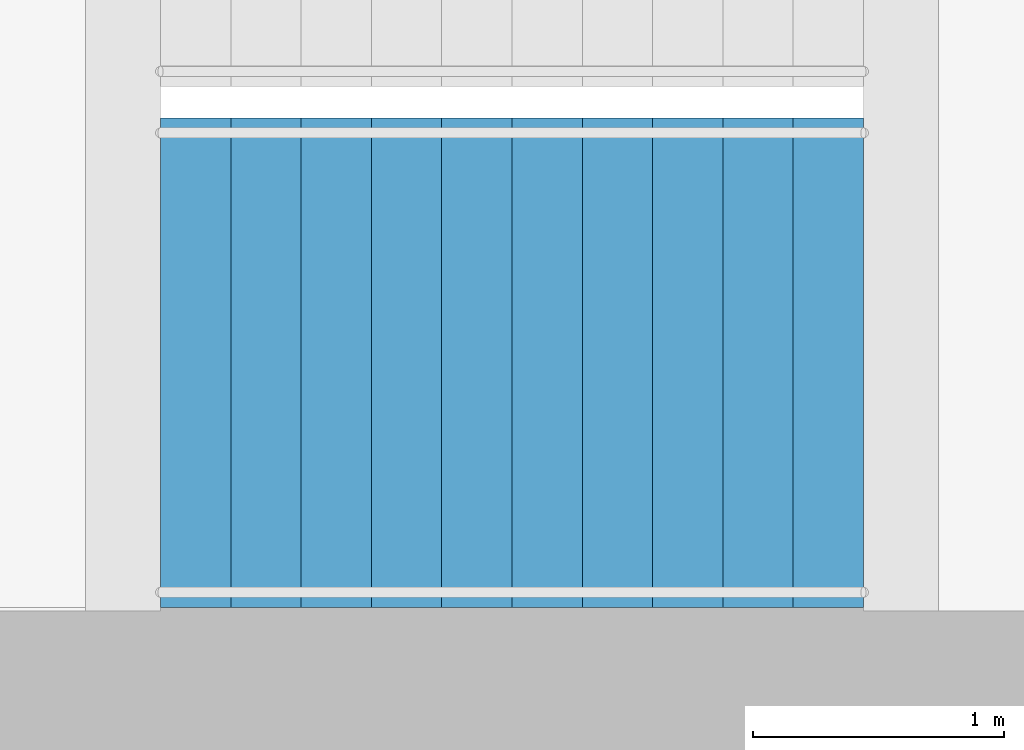
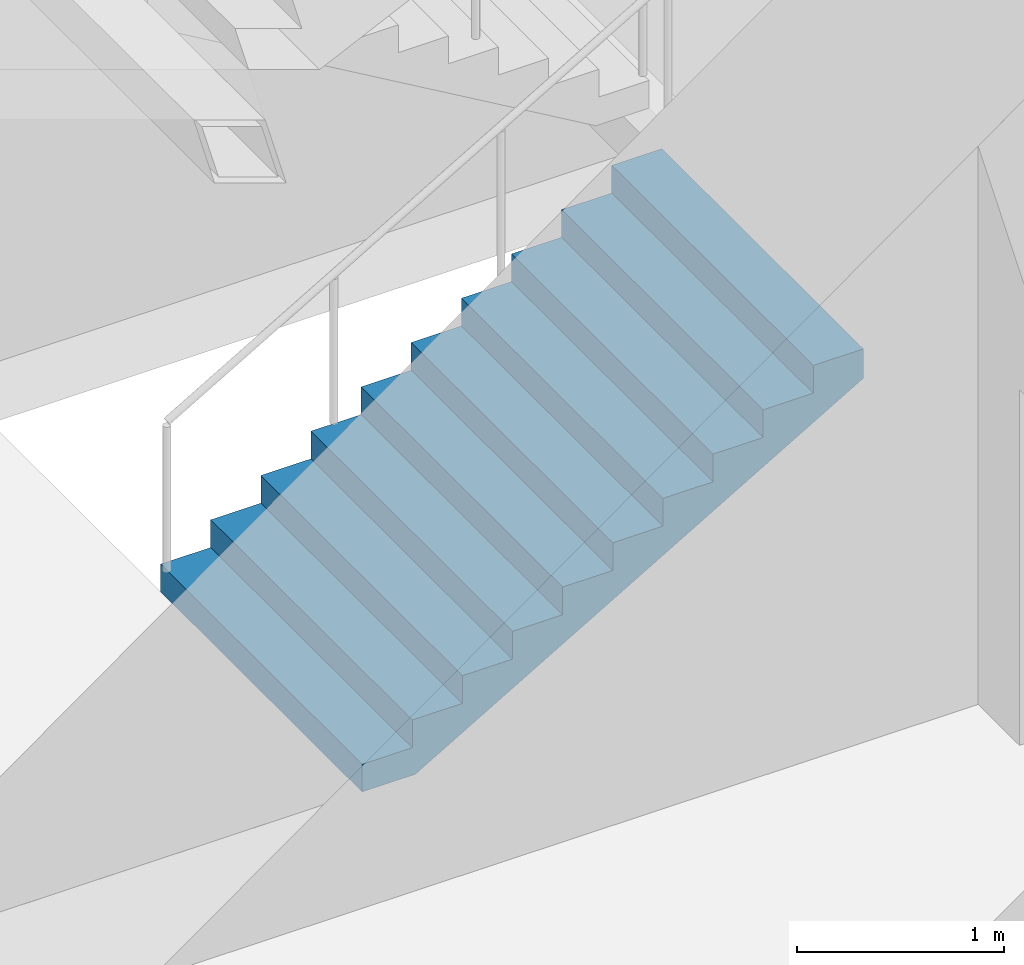
# One storey, part 14 of 22: 1 stair flight, 1 element without a shape of its own.
"""IFC4 building model written with IfcOpenShell, lengths in metres."""

from ifc_helpers import new_model, si_unit, direction, frame, origin, place, context, subcontext, project, spatial, triangles, material, type_object, element, aggregate, save


model = new_model("IFC4")

# Units and contexts
model_context = context("Model", 3, precision=1e-05, world=origin(), true_north=direction((0.0, 1.0)))
body_context = subcontext(model_context, "Body", "Model", "MODEL_VIEW")
ifc_project = project(units=[si_unit("LENGTHUNIT", "METRE"), si_unit("AREAUNIT", "SQUARE_METRE"), si_unit("VOLUMEUNIT", "CUBIC_METRE"), si_unit("PLANEANGLEUNIT", "RADIAN"), si_unit("MASSUNIT", "GRAM", prefix="KILO")], contexts=[model_context])

# Site, building, storey
site_placement = place(None, origin())
site = spatial("IfcSite", under=ifc_project, at=site_placement, CompositionType="ELEMENT")
building_placement = place(site_placement, origin())
building = spatial("IfcBuilding", under=site, at=building_placement, Name="Orbita Commons", CompositionType="ELEMENT")
storey_placement = place(building_placement, frame((0.0, 0.0, 201.10009765625)))
storey = spatial("IfcBuildingStorey", under=building, at=storey_placement, Name="L50", CompositionType="ELEMENT", Elevation=201.10009765625)

# Stair, stair flight
ifc_material_1 = material(Name="Precast concrete C40/50", Category="concrete")
stair_type = type_object("IfcStairType", Name="Exit stair S1 4 flights 11 risers 164", PredefinedType="HALF_TURN_STAIR", material=ifc_material_1)
stair_placement = place(storey_placement, origin())
stair = element("IfcStair", 1, at=stair_placement, inside=storey, type_object=stair_type, Name="Exit stair S1 L50", PredefinedType="HALF_TURN_STAIR")
ifc_material_2 = material(Name="Precast concrete C40/50", Category="concrete")
stair_flight_type = type_object("IfcStairFlightType", Name="Stair flight 11 risers 164 x 280", PredefinedType="STRAIGHT", material=ifc_material_2)
stair_flight_placement = place(storey_placement, frame((20.449951171875, 27.199951171875, 0.0), z_axis=(0.0, 0.0, 1.0), x_axis=(1.0, 0.0, 0.0)))
stair_flight = element("IfcStairFlight", 2, at=stair_flight_placement, type_object=stair_flight_type, Name="S1 flight 1", NumberOfRisers=11, NumberOfTreads=10, PredefinedType="STRAIGHT", RiserHeight=0.163636364, TreadLength=0.28, context=body_context, shape_type="Tessellation", body=[
    triangles([(0.0, 0.974976, 0.0), (0.0, 0.974976, 0.020455), (0.0, 0.81248, 0.020455), (0.0, 0.81248, 0.0), (0.0, 0.649984, 0.020455), (0.0, 0.649984, 0.0), (0.0, 0.487488, 0.020455), (0.0, 0.487488, 0.0), (0.0, 0.324992, 0.020455), (0.0, 0.324992, 0.0), (0.0, 0.162496, 0.020455), (0.0, 0.162496, 0.0), (0.0, 0.0, 0.020455), (0.0, 0.0, 0.0), (0.0, -0.162496, 0.020455), (0.0, -0.162496, 0.0), (0.0, -0.324992, 0.020455), (0.0, -0.324992, 0.0), (0.0, -0.487488, 0.020455), (0.0, -0.487488, 0.0), (0.0, -0.649984, 0.020455), (0.0, -0.649984, 0.0), (0.0, -0.81248, 0.020455), (0.0, -0.81248, 0.0), (0.0, -0.974976, 0.020455), (0.0, -0.974976, 0.0), (0.0, 0.974976, 0.040909), (0.0, 0.81248, 0.040909), (0.0, 0.649984, 0.040909), (0.0, 0.487488, 0.040909), (0.0, 0.324992, 0.040909), (0.0, 0.162496, 0.040909), (0.0, 0.0, 0.040909), (0.0, -0.162496, 0.040909), (0.0, -0.324992, 0.040909), (0.0, -0.487488, 0.040909), (0.0, -0.649984, 0.040909), (0.0, -0.81248, 0.040909), (0.0, -0.974976, 0.040909), (0.0, 0.974976, 0.061364), (0.0, 0.81248, 0.061364), (0.0, 0.649984, 0.061364), (0.0, 0.487488, 0.061364), (0.0, 0.324992, 0.061364), (0.0, 0.162496, 0.061364), (0.0, 0.0, 0.061364), (0.0, -0.162496, 0.061364), (0.0, -0.324992, 0.061364), (0.0, -0.487488, 0.061364), (0.0, -0.649984, 0.061364), (0.0, -0.81248, 0.061364), (0.0, -0.974976, 0.061364), (0.0, 0.974976, 0.081818), (0.0, 0.81248, 0.081818), (0.0, 0.649984, 0.081818), (0.0, 0.487488, 0.081818), (0.0, 0.324992, 0.081818), (0.0, 0.162496, 0.081818), (0.0, 0.0, 0.081818), (0.0, -0.162496, 0.081818), (0.0, -0.324992, 0.081818), (0.0, -0.487488, 0.081818), (0.0, -0.649984, 0.081818), (0.0, -0.81248, 0.081818), (0.0, -0.974976, 0.081818), (0.0, 0.974976, 0.102273), (0.0, 0.81248, 0.102273), (0.0, 0.649984, 0.102273), (0.0, 0.487488, 0.102273), (0.0, 0.324992, 0.102273), (0.0, 0.162496, 0.102273), (0.0, 0.0, 0.102273), (0.0, -0.162496, 0.102273), (0.0, -0.324992, 0.102273), (0.0, -0.487488, 0.102273), (0.0, -0.649984, 0.102273), (0.0, -0.81248, 0.102273), (0.0, -0.974976, 0.102273), (0.0, 0.974976, 0.122727), (0.0, 0.81248, 0.122727), (0.0, 0.649984, 0.122727), (0.0, 0.487488, 0.122727), (0.0, 0.324992, 0.122727), (0.0, 0.162496, 0.122727), (0.0, 0.0, 0.122727), (0.0, -0.162496, 0.122727), (0.0, -0.324992, 0.122727), (0.0, -0.487488, 0.122727), (0.0, -0.649984, 0.122727), (0.0, -0.81248, 0.122727), (0.0, -0.974976, 0.122727), (0.0, 0.974976, 0.143182), (0.0, 0.81248, 0.143182), (0.0, 0.649984, 0.143182), (0.0, 0.487488, 0.143182), (0.0, 0.324992, 0.143182), (0.0, 0.162496, 0.143182), (0.0, 0.0, 0.143182), (0.0, -0.162496, 0.143182), (0.0, -0.324992, 0.143182), (0.0, -0.487488, 0.143182), (0.0, -0.649984, 0.143182), (0.0, -0.81248, 0.143182), (0.0, -0.974976, 0.143182), (0.0, 0.974976, 0.163636), (0.0, 0.81248, 0.163636), (0.0, 0.649984, 0.163636), (0.0, 0.487488, 0.163636), (0.0, 0.324992, 0.163636), (0.0, 0.162496, 0.163636), (0.0, 0.0, 0.163636), (0.0, -0.162496, 0.163636), (0.0, -0.324992, 0.163636), (0.0, -0.487488, 0.163636), (0.0, -0.649984, 0.163636), (0.0, -0.81248, 0.163636), (0.0, -0.974976, 0.163636), (0.28, 0.974976, 0.163636), (0.28, 0.81248, 0.163636), (0.28, 0.649984, 0.163636), (0.28, 0.487488, 0.163636), (0.28, 0.324992, 0.163636), (0.28, 0.162496, 0.163636), (0.28, 0.0, 0.163636), (0.28, -0.162496, 0.163636), (0.28, -0.324992, 0.163636), (0.28, -0.487488, 0.163636), (0.28, -0.649984, 0.163636), (0.28, -0.81248, 0.163636), (0.28, -0.974976, 0.163636), (0.28, 0.974976, 0.327273), (0.28, 0.81248, 0.327273), (0.28, 0.649984, 0.327273), (0.28, 0.487488, 0.327273), (0.28, 0.324992, 0.327273), (0.28, 0.162496, 0.327273), (0.28, 0.0, 0.327273), (0.28, -0.162496, 0.327273), (0.28, -0.324992, 0.327273), (0.28, -0.487488, 0.327273), (0.28, -0.649984, 0.327273), (0.28, -0.81248, 0.327273), (0.28, -0.974976, 0.327273), (0.56, 0.974976, 0.327273), (0.56, 0.81248, 0.327273), (0.56, 0.649984, 0.327273), (0.56, 0.487488, 0.327273), (0.56, 0.324992, 0.327273), (0.56, 0.162496, 0.327273), (0.56, 0.0, 0.327273), (0.56, -0.162496, 0.327273), (0.56, -0.324992, 0.327273), (0.56, -0.487488, 0.327273), (0.56, -0.649984, 0.327273), (0.56, -0.81248, 0.327273), (0.56, -0.974976, 0.327273), (0.56, 0.974976, 0.490909), (0.56, 0.81248, 0.490909), (0.56, 0.649984, 0.490909), (0.56, 0.487488, 0.490909), (0.56, 0.324992, 0.490909), (0.56, 0.162496, 0.490909), (0.56, 0.0, 0.490909), (0.56, -0.162496, 0.490909), (0.56, -0.324992, 0.490909), (0.56, -0.487488, 0.490909), (0.56, -0.649984, 0.490909), (0.56, -0.81248, 0.490909), (0.56, -0.974976, 0.490909), (0.84, 0.974976, 0.490909), (0.84, 0.81248, 0.490909), (0.84, 0.649984, 0.490909), (0.84, 0.487488, 0.490909), (0.84, 0.324992, 0.490909), (0.84, 0.162496, 0.490909), (0.84, 0.0, 0.490909), (0.84, -0.162496, 0.490909), (0.84, -0.324992, 0.490909), (0.84, -0.487488, 0.490909), (0.84, -0.649984, 0.490909), (0.84, -0.81248, 0.490909), (0.84, -0.974976, 0.490909), (0.84, 0.974976, 0.654545), (0.84, 0.81248, 0.654545), (0.84, 0.649984, 0.654545), (0.84, 0.487488, 0.654545), (0.84, 0.324992, 0.654545), (0.84, 0.162496, 0.654545), (0.84, 0.0, 0.654545), (0.84, -0.162496, 0.654545), (0.84, -0.324992, 0.654545), (0.84, -0.487488, 0.654545), (0.84, -0.649984, 0.654545), (0.84, -0.81248, 0.654545), (0.84, -0.974976, 0.654545), (1.12, 0.974976, 0.654545), (1.12, 0.81248, 0.654545), (1.12, 0.649984, 0.654545), (1.12, 0.487488, 0.654545), (1.12, 0.324992, 0.654545), (1.12, 0.162496, 0.654545), (1.12, 0.0, 0.654545), (1.12, -0.162496, 0.654545), (1.12, -0.324992, 0.654545), (1.12, -0.487488, 0.654545), (1.12, -0.649984, 0.654545), (1.12, -0.81248, 0.654545), (1.12, -0.974976, 0.654545), (1.12, 0.974976, 0.818182), (1.12, 0.81248, 0.818182), (1.12, 0.649984, 0.818182), (1.12, 0.487488, 0.818182), (1.12, 0.324992, 0.818182), (1.12, 0.162496, 0.818182), (1.12, 0.0, 0.818182), (1.12, -0.162496, 0.818182), (1.12, -0.324992, 0.818182), (1.12, -0.487488, 0.818182), (1.12, -0.649984, 0.818182), (1.12, -0.81248, 0.818182), (1.12, -0.974976, 0.818182), (1.4, 0.974976, 0.818182), (1.4, 0.81248, 0.818182), (1.4, 0.649984, 0.818182), (1.4, 0.487488, 0.818182), (1.4, 0.324992, 0.818182), (1.4, 0.162496, 0.818182), (1.4, 0.0, 0.818182), (1.4, -0.162496, 0.818182), (1.4, -0.324992, 0.818182), (1.4, -0.487488, 0.818182), (1.4, -0.649984, 0.818182), (1.4, -0.81248, 0.818182), (1.4, -0.974976, 0.818182), (1.4, 0.974976, 0.981818), (1.4, 0.81248, 0.981818), (1.4, 0.649984, 0.981818), (1.4, 0.487488, 0.981818), (1.4, 0.324992, 0.981818), (1.4, 0.162496, 0.981818), (1.4, 0.0, 0.981818), (1.4, -0.162496, 0.981818), (1.4, -0.324992, 0.981818), (1.4, -0.487488, 0.981818), (1.4, -0.649984, 0.981818), (1.4, -0.81248, 0.981818), (1.4, -0.974976, 0.981818), (1.68, 0.974976, 0.981818), (1.68, 0.81248, 0.981818), (1.68, 0.649984, 0.981818), (1.68, 0.487488, 0.981818), (1.68, 0.324992, 0.981818), (1.68, 0.162496, 0.981818), (1.68, 0.0, 0.981818), (1.68, -0.162496, 0.981818), (1.68, -0.324992, 0.981818), (1.68, -0.487488, 0.981818), (1.68, -0.649984, 0.981818), (1.68, -0.81248, 0.981818), (1.68, -0.974976, 0.981818), (1.68, 0.974976, 1.145455), (1.68, 0.81248, 1.145455), (1.68, 0.649984, 1.145455), (1.68, 0.487488, 1.145455), (1.68, 0.324992, 1.145455), (1.68, 0.162496, 1.145455), (1.68, 0.0, 1.145455), (1.68, -0.162496, 1.145455), (1.68, -0.324992, 1.145455), (1.68, -0.487488, 1.145455), (1.68, -0.649984, 1.145455), (1.68, -0.81248, 1.145455), (1.68, -0.974976, 1.145455), (1.96, 0.974976, 1.145455), (1.96, 0.81248, 1.145455), (1.96, 0.649984, 1.145455), (1.96, 0.487488, 1.145455), (1.96, 0.324992, 1.145455), (1.96, 0.162496, 1.145455), (1.96, 0.0, 1.145455), (1.96, -0.162496, 1.145455), (1.96, -0.324992, 1.145455), (1.96, -0.487488, 1.145455), (1.96, -0.649984, 1.145455), (1.96, -0.81248, 1.145455), (1.96, -0.974976, 1.145455), (1.96, 0.974976, 1.309091), (1.96, 0.81248, 1.309091), (1.96, 0.649984, 1.309091), (1.96, 0.487488, 1.309091), (1.96, 0.324992, 1.309091), (1.96, 0.162496, 1.309091), (1.96, 0.0, 1.309091), (1.96, -0.162496, 1.309091), (1.96, -0.324992, 1.309091), (1.96, -0.487488, 1.309091), (1.96, -0.649984, 1.309091), (1.96, -0.81248, 1.309091), (1.96, -0.974976, 1.309091), (2.24, 0.974976, 1.309091), (2.24, 0.81248, 1.309091), (2.24, 0.649984, 1.309091), (2.24, 0.487488, 1.309091), (2.24, 0.324992, 1.309091), (2.24, 0.162496, 1.309091), (2.24, 0.0, 1.309091), (2.24, -0.162496, 1.309091), (2.24, -0.324992, 1.309091), (2.24, -0.487488, 1.309091), (2.24, -0.649984, 1.309091), (2.24, -0.81248, 1.309091), (2.24, -0.974976, 1.309091), (2.24, 0.974976, 1.472727), (2.24, 0.81248, 1.472727), (2.24, 0.649984, 1.472727), (2.24, 0.487488, 1.472727), (2.24, 0.324992, 1.472727), (2.24, 0.162496, 1.472727), (2.24, 0.0, 1.472727), (2.24, -0.162496, 1.472727), (2.24, -0.324992, 1.472727), (2.24, -0.487488, 1.472727), (2.24, -0.649984, 1.472727), (2.24, -0.81248, 1.472727), (2.24, -0.974976, 1.472727), (2.52, 0.974976, 1.472727), (2.52, 0.81248, 1.472727), (2.52, 0.649984, 1.472727), (2.52, 0.487488, 1.472727), (2.52, 0.324992, 1.472727), (2.52, 0.162496, 1.472727), (2.52, 0.0, 1.472727), (2.52, -0.162496, 1.472727), (2.52, -0.324992, 1.472727), (2.52, -0.487488, 1.472727), (2.52, -0.649984, 1.472727), (2.52, -0.81248, 1.472727), (2.52, -0.974976, 1.472727), (2.52, 0.974976, 1.636364), (2.52, 0.81248, 1.636364), (2.52, 0.649984, 1.636364), (2.52, 0.487488, 1.636364), (2.52, 0.324992, 1.636364), (2.52, 0.162496, 1.636364), (2.52, 0.0, 1.636364), (2.52, -0.162496, 1.636364), (2.52, -0.324992, 1.636364), (2.52, -0.487488, 1.636364), (2.52, -0.649984, 1.636364), (2.52, -0.81248, 1.636364), (2.52, -0.974976, 1.636364), (2.8, 0.974976, 1.636364), (2.8, 0.81248, 1.636364), (2.8, 0.649984, 1.636364), (2.8, 0.487488, 1.636364), (2.8, 0.324992, 1.636364), (2.8, 0.162496, 1.636364), (2.8, 0.0, 1.636364), (2.8, -0.162496, 1.636364), (2.8, -0.324992, 1.636364), (2.8, -0.487488, 1.636364), (2.8, -0.649984, 1.636364), (2.8, -0.81248, 1.636364), (2.8, -0.974976, 1.636364), (2.8, 0.974976, 1.614661), (2.8, 0.81248, 1.614661), (2.8, 0.649984, 1.614661), (2.8, 0.487488, 1.614661), (2.8, 0.324992, 1.614661), (2.8, 0.162496, 1.614661), (2.8, 0.0, 1.614661), (2.8, -0.162496, 1.614661), (2.8, -0.324992, 1.614661), (2.8, -0.487488, 1.614661), (2.8, -0.649984, 1.614661), (2.8, -0.81248, 1.614661), (2.8, -0.974976, 1.614661), (2.8, 0.974976, 1.592958), (2.8, 0.81248, 1.592958), (2.8, 0.649984, 1.592958), (2.8, 0.487488, 1.592958), (2.8, 0.324992, 1.592958), (2.8, 0.162496, 1.592958), (2.8, 0.0, 1.592958), (2.8, -0.162496, 1.592958), (2.8, -0.324992, 1.592958), (2.8, -0.487488, 1.592958), (2.8, -0.649984, 1.592958), (2.8, -0.81248, 1.592958), (2.8, -0.974976, 1.592958), (2.8, 0.974976, 1.571255), (2.8, 0.81248, 1.571255), (2.8, 0.649984, 1.571255), (2.8, 0.487488, 1.571255), (2.8, 0.324992, 1.571255), (2.8, 0.162496, 1.571255), (2.8, 0.0, 1.571255), (2.8, -0.162496, 1.571255), (2.8, -0.324992, 1.571255), (2.8, -0.487488, 1.571255), (2.8, -0.649984, 1.571255), (2.8, -0.81248, 1.571255), (2.8, -0.974976, 1.571255), (2.8, 0.974976, 1.549551), (2.8, 0.81248, 1.549551), (2.8, 0.649984, 1.549551), (2.8, 0.487488, 1.549551), (2.8, 0.324992, 1.549551), (2.8, 0.162496, 1.549551), (2.8, 0.0, 1.549551), (2.8, -0.162496, 1.549551), (2.8, -0.324992, 1.549551), (2.8, -0.487488, 1.549551), (2.8, -0.649984, 1.549551), (2.8, -0.81248, 1.549551), (2.8, -0.974976, 1.549551), (2.8, 0.974976, 1.527848), (2.8, 0.81248, 1.527848), (2.8, 0.649984, 1.527848), (2.8, 0.487488, 1.527848), (2.8, 0.324992, 1.527848), (2.8, 0.162496, 1.527848), (2.8, 0.0, 1.527848), (2.8, -0.162496, 1.527848), (2.8, -0.324992, 1.527848), (2.8, -0.487488, 1.527848), (2.8, -0.649984, 1.527848), (2.8, -0.81248, 1.527848), (2.8, -0.974976, 1.527848), (2.8, 0.974976, 1.506145), (2.8, 0.81248, 1.506145), (2.8, 0.649984, 1.506145), (2.8, 0.487488, 1.506145), (2.8, 0.324992, 1.506145), (2.8, 0.162496, 1.506145), (2.8, 0.0, 1.506145), (2.8, -0.162496, 1.506145), (2.8, -0.324992, 1.506145), (2.8, -0.487488, 1.506145), (2.8, -0.649984, 1.506145), (2.8, -0.81248, 1.506145), (2.8, -0.974976, 1.506145), (2.8, 0.974976, 1.484442), (2.8, 0.81248, 1.484442), (2.8, 0.649984, 1.484442), (2.8, 0.487488, 1.484442), (2.8, 0.324992, 1.484442), (2.8, 0.162496, 1.484442), (2.8, 0.0, 1.484442), (2.8, -0.162496, 1.484442), (2.8, -0.324992, 1.484442), (2.8, -0.487488, 1.484442), (2.8, -0.649984, 1.484442), (2.8, -0.81248, 1.484442), (2.8, -0.974976, 1.484442), (2.8, 0.974976, 1.462739), (2.8, 0.81248, 1.462739), (2.8, 0.649984, 1.462739), (2.8, 0.487488, 1.462739), (2.8, 0.324992, 1.462739), (2.8, 0.162496, 1.462739), (2.8, 0.0, 1.462739), (2.8, -0.162496, 1.462739), (2.8, -0.324992, 1.462739), (2.8, -0.487488, 1.462739), (2.8, -0.649984, 1.462739), (2.8, -0.81248, 1.462739), (2.8, -0.974976, 1.462739), (0.29709, 0.974976, 0.0), (0.29709, 0.81248, 0.0), (0.29709, 0.649984, 0.0), (0.29709, 0.487488, 0.0), (0.29709, 0.324992, 0.0), (0.29709, 0.162496, 0.0), (0.29709, 0.0, 0.0), (0.29709, -0.162496, 0.0), (0.29709, -0.324992, 0.0), (0.29709, -0.487488, 0.0), (0.29709, -0.649984, 0.0), (0.29709, -0.81248, 0.0), (0.29709, -0.974976, 0.0)], [[3, 2, 1], [4, 3, 1], [5, 3, 4], [6, 5, 4], [7, 5, 6], [8, 7, 6], [9, 7, 8], [10, 9, 8], [11, 9, 10], [12, 11, 10], [13, 11, 12], [14, 13, 12], [15, 13, 14], [16, 15, 14], [17, 15, 16], [18, 17, 16], [19, 17, 18], [20, 19, 18], [21, 19, 20], [22, 21, 20], [23, 21, 22], [24, 23, 22], [25, 23, 24], [26, 25, 24], [28, 27, 2], [3, 28, 2], [29, 28, 3], [5, 29, 3], [30, 29, 5], [7, 30, 5], [31, 30, 7], [9, 31, 7], [32, 31, 9], [11, 32, 9], [33, 32, 11], [13, 33, 11], [34, 33, 13], [15, 34, 13], [35, 34, 15], [17, 35, 15], [36, 35, 17], [19, 36, 17], [37, 36, 19], [21, 37, 19], [38, 37, 21], [23, 38, 21], [39, 38, 23], [25, 39, 23], [41, 40, 27], [28, 41, 27], [42, 41, 28], [29, 42, 28], [43, 42, 29], [30, 43, 29], [44, 43, 30], [31, 44, 30], [45, 44, 31], [32, 45, 31], [46, 45, 32], [33, 46, 32], [47, 46, 33], [34, 47, 33], [48, 47, 34], [35, 48, 34], [49, 48, 35], [36, 49, 35], [50, 49, 36], [37, 50, 36], [51, 50, 37], [38, 51, 37], [52, 51, 38], [39, 52, 38], [54, 53, 40], [41, 54, 40], [55, 54, 41], [42, 55, 41], [56, 55, 42], [43, 56, 42], [57, 56, 43], [44, 57, 43], [58, 57, 44], [45, 58, 44], [59, 58, 45], [46, 59, 45], [60, 59, 46], [47, 60, 46], [61, 60, 47], [48, 61, 47], [62, 61, 48], [49, 62, 48], [63, 62, 49], [50, 63, 49], [64, 63, 50], [51, 64, 50], [65, 64, 51], [52, 65, 51], [67, 66, 53], [54, 67, 53], [68, 67, 54], [55, 68, 54], [69, 68, 55], [56, 69, 55], [70, 69, 56], [57, 70, 56], [71, 70, 57], [58, 71, 57], [72, 71, 58], [59, 72, 58], [73, 72, 59], [60, 73, 59], [74, 73, 60], [61, 74, 60], [75, 74, 61], [62, 75, 61], [76, 75, 62], [63, 76, 62], [77, 76, 63], [64, 77, 63], [78, 77, 64], [65, 78, 64], [80, 79, 66], [67, 80, 66], [81, 80, 67], [68, 81, 67], [82, 81, 68], [69, 82, 68], [83, 82, 69], [70, 83, 69], [84, 83, 70], [71, 84, 70], [85, 84, 71], [72, 85, 71], [86, 85, 72], [73, 86, 72], [87, 86, 73], [74, 87, 73], [88, 87, 74], [75, 88, 74], [89, 88, 75], [76, 89, 75], [90, 89, 76], [77, 90, 76], [91, 90, 77], [78, 91, 77], [93, 92, 79], [80, 93, 79], [94, 93, 80], [81, 94, 80], [95, 94, 81], [82, 95, 81], [96, 95, 82], [83, 96, 82], [97, 96, 83], [84, 97, 83], [98, 97, 84], [85, 98, 84], [99, 98, 85], [86, 99, 85], [100, 99, 86], [87, 100, 86], [101, 100, 87], [88, 101, 87], [102, 101, 88], [89, 102, 88], [103, 102, 89], [90, 103, 89], [104, 103, 90], [91, 104, 90], [106, 105, 92], [93, 106, 92], [107, 106, 93], [94, 107, 93], [108, 107, 94], [95, 108, 94], [109, 108, 95], [96, 109, 95], [110, 109, 96], [97, 110, 96], [111, 110, 97], [98, 111, 97], [112, 111, 98], [99, 112, 98], [113, 112, 99], [100, 113, 99], [114, 113, 100], [101, 114, 100], [115, 114, 101], [102, 115, 101], [116, 115, 102], [103, 116, 102], [117, 116, 103], [104, 117, 103], [119, 118, 105], [106, 119, 105], [120, 119, 106], [107, 120, 106], [121, 120, 107], [108, 121, 107], [122, 121, 108], [109, 122, 108], [123, 122, 109], [110, 123, 109], [124, 123, 110], [111, 124, 110], [125, 124, 111], [112, 125, 111], [126, 125, 112], [113, 126, 112], [127, 126, 113], [114, 127, 113], [128, 127, 114], [115, 128, 114], [129, 128, 115], [116, 129, 115], [130, 129, 116], [117, 130, 116], [132, 131, 118], [119, 132, 118], [133, 132, 119], [120, 133, 119], [134, 133, 120], [121, 134, 120], [135, 134, 121], [122, 135, 121], [136, 135, 122], [123, 136, 122], [137, 136, 123], [124, 137, 123], [138, 137, 124], [125, 138, 124], [139, 138, 125], [126, 139, 125], [140, 139, 126], [127, 140, 126], [141, 140, 127], [128, 141, 127], [142, 141, 128], [129, 142, 128], [143, 142, 129], [130, 143, 129], [145, 144, 131], [132, 145, 131], [146, 145, 132], [133, 146, 132], [147, 146, 133], [134, 147, 133], [148, 147, 134], [135, 148, 134], [149, 148, 135], [136, 149, 135], [150, 149, 136], [137, 150, 136], [151, 150, 137], [138, 151, 137], [152, 151, 138], [139, 152, 138], [153, 152, 139], [140, 153, 139], [154, 153, 140], [141, 154, 140], [155, 154, 141], [142, 155, 141], [156, 155, 142], [143, 156, 142], [158, 157, 144], [145, 158, 144], [159, 158, 145], [146, 159, 145], [160, 159, 146], [147, 160, 146], [161, 160, 147], [148, 161, 147], [162, 161, 148], [149, 162, 148], [163, 162, 149], [150, 163, 149], [164, 163, 150], [151, 164, 150], [165, 164, 151], [152, 165, 151], [166, 165, 152], [153, 166, 152], [167, 166, 153], [154, 167, 153], [168, 167, 154], [155, 168, 154], [169, 168, 155], [156, 169, 155], [171, 170, 157], [158, 171, 157], [172, 171, 158], [159, 172, 158], [173, 172, 159], [160, 173, 159], [174, 173, 160], [161, 174, 160], [175, 174, 161], [162, 175, 161], [176, 175, 162], [163, 176, 162], [177, 176, 163], [164, 177, 163], [178, 177, 164], [165, 178, 164], [179, 178, 165], [166, 179, 165], [180, 179, 166], [167, 180, 166], [181, 180, 167], [168, 181, 167], [182, 181, 168], [169, 182, 168], [184, 183, 170], [171, 184, 170], [185, 184, 171], [172, 185, 171], [186, 185, 172], [173, 186, 172], [187, 186, 173], [174, 187, 173], [188, 187, 174], [175, 188, 174], [189, 188, 175], [176, 189, 175], [190, 189, 176], [177, 190, 176], [191, 190, 177], [178, 191, 177], [192, 191, 178], [179, 192, 178], [193, 192, 179], [180, 193, 179], [194, 193, 180], [181, 194, 180], [195, 194, 181], [182, 195, 181], [197, 196, 183], [184, 197, 183], [198, 197, 184], [185, 198, 184], [199, 198, 185], [186, 199, 185], [200, 199, 186], [187, 200, 186], [201, 200, 187], [188, 201, 187], [202, 201, 188], [189, 202, 188], [203, 202, 189], [190, 203, 189], [204, 203, 190], [191, 204, 190], [205, 204, 191], [192, 205, 191], [206, 205, 192], [193, 206, 192], [207, 206, 193], [194, 207, 193], [208, 207, 194], [195, 208, 194], [210, 209, 196], [197, 210, 196], [211, 210, 197], [198, 211, 197], [212, 211, 198], [199, 212, 198], [213, 212, 199], [200, 213, 199], [214, 213, 200], [201, 214, 200], [215, 214, 201], [202, 215, 201], [216, 215, 202], [203, 216, 202], [217, 216, 203], [204, 217, 203], [218, 217, 204], [205, 218, 204], [219, 218, 205], [206, 219, 205], [220, 219, 206], [207, 220, 206], [221, 220, 207], [208, 221, 207], [223, 222, 209], [210, 223, 209], [224, 223, 210], [211, 224, 210], [225, 224, 211], [212, 225, 211], [226, 225, 212], [213, 226, 212], [227, 226, 213], [214, 227, 213], [228, 227, 214], [215, 228, 214], [229, 228, 215], [216, 229, 215], [230, 229, 216], [217, 230, 216], [231, 230, 217], [218, 231, 217], [232, 231, 218], [219, 232, 218], [233, 232, 219], [220, 233, 219], [234, 233, 220], [221, 234, 220], [236, 235, 222], [223, 236, 222], [237, 236, 223], [224, 237, 223], [238, 237, 224], [225, 238, 224], [239, 238, 225], [226, 239, 225], [240, 239, 226], [227, 240, 226], [241, 240, 227], [228, 241, 227], [242, 241, 228], [229, 242, 228], [243, 242, 229], [230, 243, 229], [244, 243, 230], [231, 244, 230], [245, 244, 231], [232, 245, 231], [246, 245, 232], [233, 246, 232], [247, 246, 233], [234, 247, 233], [249, 248, 235], [236, 249, 235], [250, 249, 236], [237, 250, 236], [251, 250, 237], [238, 251, 237], [252, 251, 238], [239, 252, 238], [253, 252, 239], [240, 253, 239], [254, 253, 240], [241, 254, 240], [255, 254, 241], [242, 255, 241], [256, 255, 242], [243, 256, 242], [257, 256, 243], [244, 257, 243], [258, 257, 244], [245, 258, 244], [259, 258, 245], [246, 259, 245], [260, 259, 246], [247, 260, 246], [262, 261, 248], [249, 262, 248], [263, 262, 249], [250, 263, 249], [264, 263, 250], [251, 264, 250], [265, 264, 251], [252, 265, 251], [266, 265, 252], [253, 266, 252], [267, 266, 253], [254, 267, 253], [268, 267, 254], [255, 268, 254], [269, 268, 255], [256, 269, 255], [270, 269, 256], [257, 270, 256], [271, 270, 257], [258, 271, 257], [272, 271, 258], [259, 272, 258], [273, 272, 259], [260, 273, 259], [275, 274, 261], [262, 275, 261], [276, 275, 262], [263, 276, 262], [277, 276, 263], [264, 277, 263], [278, 277, 264], [265, 278, 264], [279, 278, 265], [266, 279, 265], [280, 279, 266], [267, 280, 266], [281, 280, 267], [268, 281, 267], [282, 281, 268], [269, 282, 268], [283, 282, 269], [270, 283, 269], [284, 283, 270], [271, 284, 270], [285, 284, 271], [272, 285, 271], [286, 285, 272], [273, 286, 272], [288, 287, 274], [275, 288, 274], [289, 288, 275], [276, 289, 275], [290, 289, 276], [277, 290, 276], [291, 290, 277], [278, 291, 277], [292, 291, 278], [279, 292, 278], [293, 292, 279], [280, 293, 279], [294, 293, 280], [281, 294, 280], [295, 294, 281], [282, 295, 281], [296, 295, 282], [283, 296, 282], [297, 296, 283], [284, 297, 283], [298, 297, 284], [285, 298, 284], [299, 298, 285], [286, 299, 285], [301, 300, 287], [288, 301, 287], [302, 301, 288], [289, 302, 288], [303, 302, 289], [290, 303, 289], [304, 303, 290], [291, 304, 290], [305, 304, 291], [292, 305, 291], [306, 305, 292], [293, 306, 292], [307, 306, 293], [294, 307, 293], [308, 307, 294], [295, 308, 294], [309, 308, 295], [296, 309, 295], [310, 309, 296], [297, 310, 296], [311, 310, 297], [298, 311, 297], [312, 311, 298], [299, 312, 298], [314, 313, 300], [301, 314, 300], [315, 314, 301], [302, 315, 301], [316, 315, 302], [303, 316, 302], [317, 316, 303], [304, 317, 303], [318, 317, 304], [305, 318, 304], [319, 318, 305], [306, 319, 305], [320, 319, 306], [307, 320, 306], [321, 320, 307], [308, 321, 307], [322, 321, 308], [309, 322, 308], [323, 322, 309], [310, 323, 309], [324, 323, 310], [311, 324, 310], [325, 324, 311], [312, 325, 311], [327, 326, 313], [314, 327, 313], [328, 327, 314], [315, 328, 314], [329, 328, 315], [316, 329, 315], [330, 329, 316], [317, 330, 316], [331, 330, 317], [318, 331, 317], [332, 331, 318], [319, 332, 318], [333, 332, 319], [320, 333, 319], [334, 333, 320], [321, 334, 320], [335, 334, 321], [322, 335, 321], [336, 335, 322], [323, 336, 322], [337, 336, 323], [324, 337, 323], [338, 337, 324], [325, 338, 324], [340, 339, 326], [327, 340, 326], [341, 340, 327], [328, 341, 327], [342, 341, 328], [329, 342, 328], [343, 342, 329], [330, 343, 329], [344, 343, 330], [331, 344, 330], [345, 344, 331], [332, 345, 331], [346, 345, 332], [333, 346, 332], [347, 346, 333], [334, 347, 333], [348, 347, 334], [335, 348, 334], [349, 348, 335], [336, 349, 335], [350, 349, 336], [337, 350, 336], [351, 350, 337], [338, 351, 337], [353, 352, 339], [340, 353, 339], [354, 353, 340], [341, 354, 340], [355, 354, 341], [342, 355, 341], [356, 355, 342], [343, 356, 342], [357, 356, 343], [344, 357, 343], [358, 357, 344], [345, 358, 344], [359, 358, 345], [346, 359, 345], [360, 359, 346], [347, 360, 346], [361, 360, 347], [348, 361, 347], [362, 361, 348], [349, 362, 348], [363, 362, 349], [350, 363, 349], [364, 363, 350], [351, 364, 350], [366, 365, 352], [353, 366, 352], [367, 366, 353], [354, 367, 353], [368, 367, 354], [355, 368, 354], [369, 368, 355], [356, 369, 355], [370, 369, 356], [357, 370, 356], [371, 370, 357], [358, 371, 357], [372, 371, 358], [359, 372, 358], [373, 372, 359], [360, 373, 359], [374, 373, 360], [361, 374, 360], [375, 374, 361], [362, 375, 361], [376, 375, 362], [363, 376, 362], [377, 376, 363], [364, 377, 363], [379, 378, 365], [366, 379, 365], [380, 379, 366], [367, 380, 366], [381, 380, 367], [368, 381, 367], [382, 381, 368], [369, 382, 368], [383, 382, 369], [370, 383, 369], [384, 383, 370], [371, 384, 370], [385, 384, 371], [372, 385, 371], [386, 385, 372], [373, 386, 372], [387, 386, 373], [374, 387, 373], [388, 387, 374], [375, 388, 374], [389, 388, 375], [376, 389, 375], [390, 389, 376], [377, 390, 376], [392, 391, 378], [379, 392, 378], [393, 392, 379], [380, 393, 379], [394, 393, 380], [381, 394, 380], [395, 394, 381], [382, 395, 381], [396, 395, 382], [383, 396, 382], [397, 396, 383], [384, 397, 383], [398, 397, 384], [385, 398, 384], [399, 398, 385], [386, 399, 385], [400, 399, 386], [387, 400, 386], [401, 400, 387], [388, 401, 387], [402, 401, 388], [389, 402, 388], [403, 402, 389], [390, 403, 389], [405, 404, 391], [392, 405, 391], [406, 405, 392], [393, 406, 392], [407, 406, 393], [394, 407, 393], [408, 407, 394], [395, 408, 394], [409, 408, 395], [396, 409, 395], [410, 409, 396], [397, 410, 396], [411, 410, 397], [398, 411, 397], [412, 411, 398], [399, 412, 398], [413, 412, 399], [400, 413, 399], [414, 413, 400], [401, 414, 400], [415, 414, 401], [402, 415, 401], [416, 415, 402], [403, 416, 402], [418, 417, 404], [405, 418, 404], [419, 418, 405], [406, 419, 405], [420, 419, 406], [407, 420, 406], [421, 420, 407], [408, 421, 407], [422, 421, 408], [409, 422, 408], [423, 422, 409], [410, 423, 409], [424, 423, 410], [411, 424, 410], [425, 424, 411], [412, 425, 411], [426, 425, 412], [413, 426, 412], [427, 426, 413], [414, 427, 413], [428, 427, 414], [415, 428, 414], [429, 428, 415], [416, 429, 415], [431, 430, 417], [418, 431, 417], [432, 431, 418], [419, 432, 418], [433, 432, 419], [420, 433, 419], [434, 433, 420], [421, 434, 420], [435, 434, 421], [422, 435, 421], [436, 435, 422], [423, 436, 422], [437, 436, 423], [424, 437, 423], [438, 437, 424], [425, 438, 424], [439, 438, 425], [426, 439, 425], [440, 439, 426], [427, 440, 426], [441, 440, 427], [428, 441, 427], [442, 441, 428], [429, 442, 428], [444, 443, 430], [431, 444, 430], [445, 444, 431], [432, 445, 431], [446, 445, 432], [433, 446, 432], [447, 446, 433], [434, 447, 433], [448, 447, 434], [435, 448, 434], [449, 448, 435], [436, 449, 435], [450, 449, 436], [437, 450, 436], [451, 450, 437], [438, 451, 437], [452, 451, 438], [439, 452, 438], [453, 452, 439], [440, 453, 439], [454, 453, 440], [441, 454, 440], [455, 454, 441], [442, 455, 441], [457, 456, 443], [444, 457, 443], [458, 457, 444], [445, 458, 444], [459, 458, 445], [446, 459, 445], [460, 459, 446], [447, 460, 446], [461, 460, 447], [448, 461, 447], [462, 461, 448], [449, 462, 448], [463, 462, 449], [450, 463, 449], [464, 463, 450], [451, 464, 450], [465, 464, 451], [452, 465, 451], [466, 465, 452], [453, 466, 452], [467, 466, 453], [454, 467, 453], [468, 467, 454], [455, 468, 454], [470, 469, 456], [457, 470, 456], [471, 470, 457], [458, 471, 457], [472, 471, 458], [459, 472, 458], [473, 472, 459], [460, 473, 459], [474, 473, 460], [461, 474, 460], [475, 474, 461], [462, 475, 461], [476, 475, 462], [463, 476, 462], [477, 476, 463], [464, 477, 463], [478, 477, 464], [465, 478, 464], [479, 478, 465], [466, 479, 465], [480, 479, 466], [467, 480, 466], [481, 480, 467], [468, 481, 467], [4, 1, 469], [470, 4, 469], [6, 4, 470], [471, 6, 470], [8, 6, 471], [472, 8, 471], [10, 8, 472], [473, 10, 472], [12, 10, 473], [474, 12, 473], [14, 12, 474], [475, 14, 474], [16, 14, 475], [476, 16, 475], [18, 16, 476], [477, 18, 476], [20, 18, 477], [478, 20, 477], [22, 20, 478], [479, 22, 478], [24, 22, 479], [480, 24, 479], [26, 24, 480], [481, 26, 480], [456, 469, 1], [26, 481, 468], [443, 456, 1], [26, 468, 455], [430, 443, 1], [26, 455, 442], [417, 430, 1], [26, 442, 429], [404, 417, 1], [26, 429, 416], [391, 404, 1], [26, 416, 403], [378, 391, 1], [26, 403, 390], [365, 378, 1], [26, 390, 377], [339, 352, 365], [377, 364, 351], [326, 339, 365], [377, 351, 338], [300, 313, 326], [338, 325, 312], [300, 326, 365], [377, 338, 312], [274, 287, 300], [312, 299, 286], [274, 300, 365], [377, 312, 286], [248, 261, 274], [286, 273, 260], [248, 274, 365], [377, 286, 260], [222, 235, 248], [260, 247, 234], [222, 248, 365], [377, 260, 234], [196, 209, 222], [234, 221, 208], [196, 222, 365], [377, 234, 208], [170, 183, 196], [208, 195, 182], [170, 196, 365], [377, 208, 182], [144, 157, 170], [182, 169, 156], [144, 170, 365], [377, 182, 156], [118, 131, 144], [156, 143, 130], [118, 144, 365], [377, 156, 130], [118, 365, 1], [26, 377, 130], [92, 105, 118], [130, 117, 104], [79, 92, 118], [130, 104, 91], [66, 79, 118], [130, 91, 78], [53, 66, 118], [130, 78, 65], [40, 53, 118], [130, 65, 52], [27, 40, 118], [130, 52, 39], [2, 27, 118], [130, 39, 25], [1, 2, 118], [130, 25, 26]], closed=True),
])
aggregate(stair, [stair_flight])

save(model, "model.ifc")
